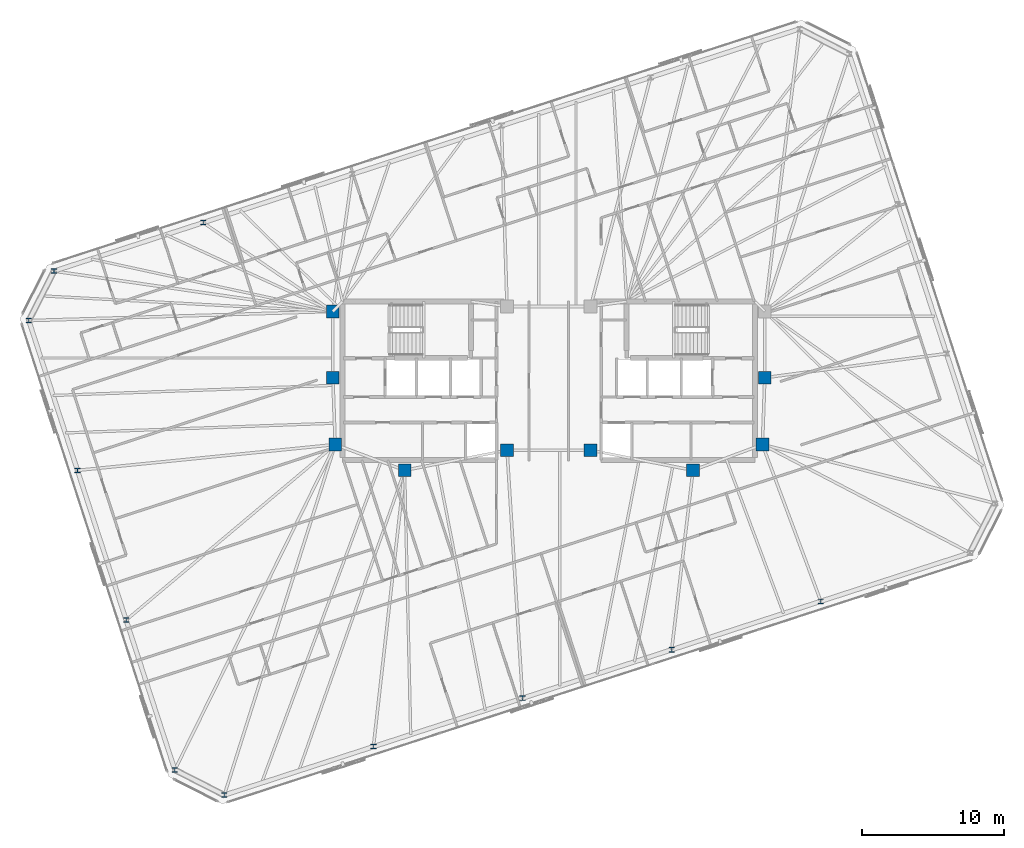
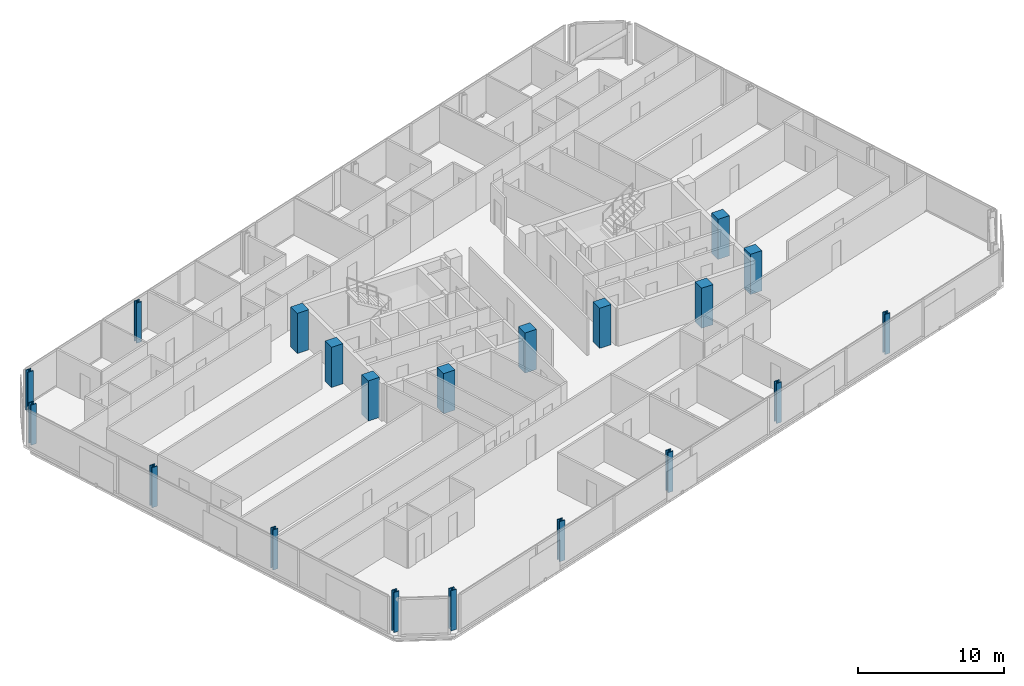
# One storey, part 1 of 20: 20 columns.
"""IFC4 building model written with IfcOpenShell, lengths in metres."""

from ifc_helpers import new_model, si_unit, direction, frame, origin, origin_2d, place, context, subcontext, project, spatial, rectangle, i_section, extrude, material, material_profile, profile_set, type_object, element, save


model = new_model("IFC4")

# Units and contexts
model_context = context("Model", 3, precision=1e-05, world=origin(), true_north=direction((0.0, 1.0)))
body_context = subcontext(model_context, "Body", "Model", "MODEL_VIEW")
ifc_project = project(units=[si_unit("LENGTHUNIT", "METRE"), si_unit("AREAUNIT", "SQUARE_METRE"), si_unit("VOLUMEUNIT", "CUBIC_METRE"), si_unit("PLANEANGLEUNIT", "RADIAN"), si_unit("MASSUNIT", "GRAM", prefix="KILO")], contexts=[model_context])

# Site, building, storey
site_placement = place(None, origin())
site = spatial("IfcSite", under=ifc_project, at=site_placement, CompositionType="ELEMENT")
building_placement = place(site_placement, origin())
building = spatial("IfcBuilding", under=site, at=building_placement, Name="Menara Jurai Vektor", CompositionType="ELEMENT")
storey_placement = place(building_placement, frame((0.0, 0.0, 244.39990234375)))
storey = spatial("IfcBuildingStorey", under=building, at=storey_placement, Name="L65", CompositionType="ELEMENT", Elevation=244.39990234375)

# Columns
ifc_material_1 = material(Name="Concrete C50/60", Category="concrete")
ifc_material_profile_1 = material_profile(ifc_material_1, rectangle(XDim=0.89990234375, YDim=0.89990234375, at=origin_2d()), Name="RC 900x900")
ifc_profile_set_1 = profile_set([ifc_material_profile_1], Name="Concrete C50/60")
column_type_1 = type_object("IfcColumnType", Name="STR-COL-RC900", PredefinedType="COLUMN", material=ifc_profile_set_1)
for number, where, z_axis, x_axis, name in (
    (1, (-15.25, 4.89990234375, 0.0), (0.0, 0.0, 1.0), (1.0, 0.0, 0.0), "Core Spine Column CW-NW L65"),
    (2, (-15.25, 0.219970703125, 0.0), (0.0, 0.0, 1.0), (1.0, 0.0, 0.0), "Core Spine Column CW-WM L65"),
    (3, (-15.080078125, -4.5, 0.0), (0.0, 0.0, 1.0), (1.0, 0.0, 0.0), "Core Spine Column CW-SW L65"),
    (4, (-10.179931640625, -6.320068359375, 0.0), (0.0, 0.0, 1.0), (1.0, 0.0, 0.0), "Core Spine Column CW-SM L65"),
    (5, (-2.949951171875, -4.89990234375, 0.0), (0.0, 0.0, 1.0), (1.0, 0.0, 0.0), "Core Spine Column CW-SE L65"),
    (6, (15.25, 0.219970703125, 0.0), (0.0, 0.0, 1.0), (1.0, 0.0, 0.0), "Core Spine Column CE-EM L65"),
    (7, (15.080078125, -4.5, 0.0), (0.0, 0.0, 1.0), (1.0, 0.0, 0.0), "Core Spine Column CE-SE L65"),
    (8, (10.179931640625, -6.320068359375, 0.0), (0.0, 0.0, 1.0), (1.0, 0.0, 0.0), "Core Spine Column CE-SM L65"),
    (9, (2.949951171875, -4.89990234375, 0.0), (0.0, 0.0, 1.0), (1.0, 0.0, 0.0), "Core Spine Column CE-SW L65"),
):
    element("IfcColumn", number, at=place(storey_placement, frame(where, z_axis=z_axis, x_axis=x_axis)), inside=storey, type_object=column_type_1, Name=name, PredefinedType="COLUMN", context=body_context, shape_type="SweptSolid", body=[
        extrude(rectangle(XDim=0.89990234375, YDim=0.89990234375, at=origin_2d()), origin(), (0.0, 0.0, 1.0), 3.35009765625),
    ])
ifc_material_2 = material(Name="Steel S460", Category="steel")
ifc_material_profile_2 = material_profile(ifc_material_2, i_section(OverallWidth=0.405029296875, OverallDepth=0.35498046875, WebThickness=0.0419921875, FlangeThickness=0.068115234375, FilletRadius=0.014892578125, at=origin_2d()), Name="HD 400x551")
ifc_profile_set_2 = profile_set([ifc_material_profile_2], Name="Steel S460")
column_type_2 = type_object("IfcColumnType", Name="STR-EXO-BLK4", PredefinedType="COLUMN", material=ifc_profile_set_2)
for number, where, z_axis, x_axis, name in (
    (10, (-22.912841796875, -29.2509765625, 0.0), (0.0, 0.0, 1.0), (1.0, 0.0, 0.0), "Exoskeleton Column BLK4-S1 L65"),
    (11, (-12.383544921875, -25.829833984375, 0.0), (0.0, 0.0, 1.0), (1.0, 0.0, 0.0), "Exoskeleton Column BLK4-S2 L65"),
    (12, (-1.854248046875, -22.40869140625, 0.0), (0.0, 0.0, 1.0), (1.0, 0.0, 0.0), "Exoskeleton Column BLK4-S3 L65"),
    (13, (8.675048828125, -18.987548828125, 0.0), (0.0, 0.0, 1.0), (1.0, 0.0, 0.0), "Exoskeleton Column BLK4-S4 L65"),
    (14, (19.204345703125, -15.56640625, 0.0), (0.0, 0.0, 1.0), (1.0, 0.0, 0.0), "Exoskeleton Column BLK4-S5 L65"),
    (15, (-24.404296875, 11.166259765625, 0.0), (0.0, 0.0, 1.0), (1.0, 0.0, 0.0), "Exoskeleton Column BLK4-N5 L65"),
    (16, (-34.93359375, 7.7451171875, 0.0), (0.0, 0.0, 1.0), (1.0, 0.0, 0.0), "Exoskeleton Column BLK4-N6 L65"),
    (17, (-36.71337890625, 4.251953125, 0.0), (0.0, 0.0, 1.0), (1.0, 0.0, 0.0), "Exoskeleton Column BLK4-W1 L65"),
    (18, (-33.277587890625, -6.322265625, 0.0), (0.0, 0.0, 1.0), (1.0, 0.0, 0.0), "Exoskeleton Column BLK4-W2 L65"),
    (19, (-29.841796875, -16.896728515625, 0.0), (0.0, 0.0, 1.0), (1.0, 0.0, 0.0), "Exoskeleton Column BLK4-W3 L65"),
    (20, (-26.406005859375, -27.47119140625, 0.0), (0.0, 0.0, 1.0), (1.0, 0.0, 0.0), "Exoskeleton Column BLK4-W4 L65"),
):
    element("IfcColumn", number, at=place(storey_placement, frame(where, z_axis=z_axis, x_axis=x_axis)), inside=storey, type_object=column_type_2, Name=name, PredefinedType="COLUMN", context=body_context, shape_type="SweptSolid", body=[
        extrude(i_section(OverallWidth=0.405029296875, OverallDepth=0.35498046875, WebThickness=0.0419921875, FlangeThickness=0.068115234375, FilletRadius=0.014892578125, at=origin_2d()), origin(), (0.0, 0.0, 1.0), 3.35009765625),
    ])

save(model, "model.ifc")
